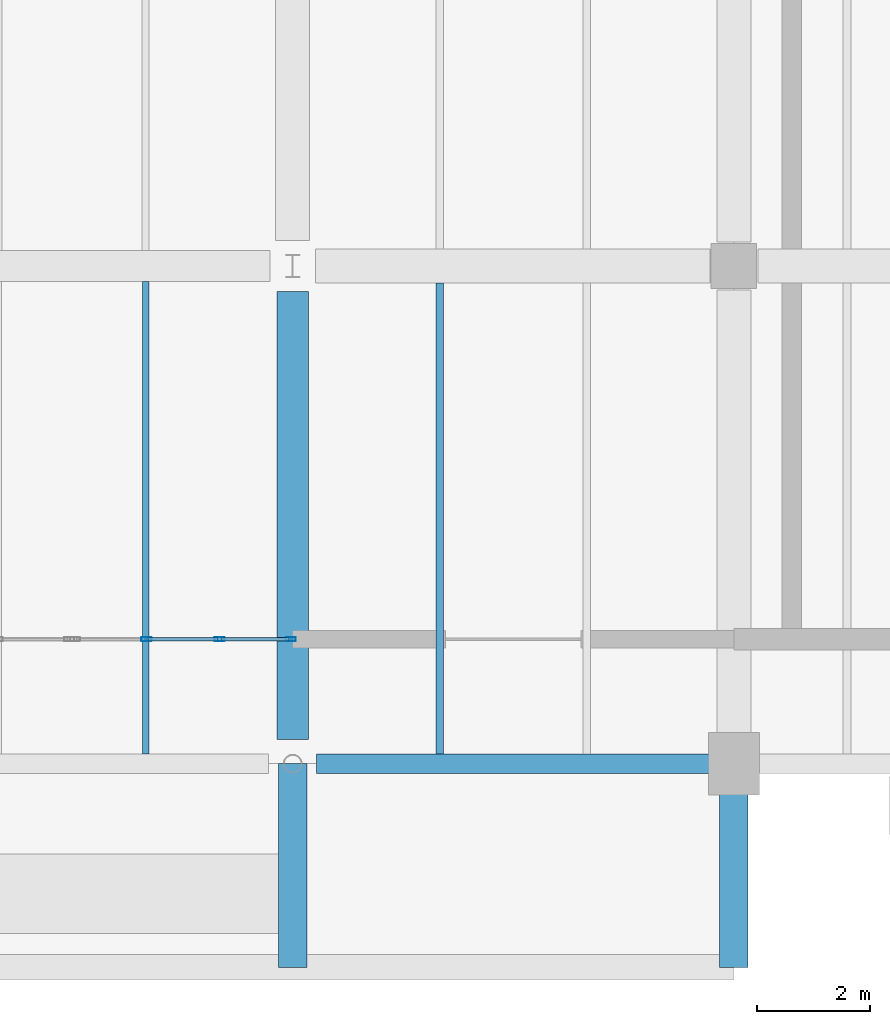
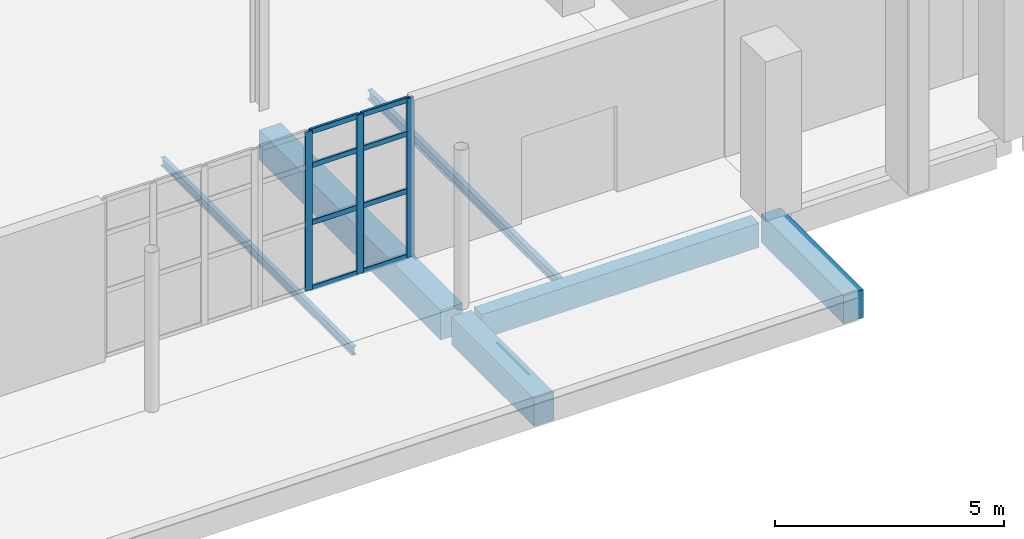
# One storey, part 24 of 76: 11 members, 6 beams, 1 element without a shape of its own.
"""IFC4 building model written with IfcOpenShell, lengths in metres."""

from ifc_helpers import new_model, si_unit, direction, frame, origin, origin_2d, place, context, subcontext, project, spatial, rectangle, hollow_rectangle, i_section, extrude, material, material_profile, profile_set, type_object, element, aggregate, save


model = new_model("IFC4")

# Units and contexts
model_context = context("Model", 3, precision=1e-05, world=origin(), true_north=direction((0.0, 1.0)))
body_context = subcontext(model_context, "Body", "Model", "MODEL_VIEW")
ifc_project = project(units=[si_unit("LENGTHUNIT", "METRE"), si_unit("AREAUNIT", "SQUARE_METRE"), si_unit("VOLUMEUNIT", "CUBIC_METRE"), si_unit("PLANEANGLEUNIT", "RADIAN"), si_unit("MASSUNIT", "GRAM", prefix="KILO")], contexts=[model_context])

# Site, building, storey
site_placement = place(None, origin())
site = spatial("IfcSite", under=ifc_project, at=site_placement, CompositionType="ELEMENT")
building_placement = place(site_placement, origin())
building = spatial("IfcBuilding", under=site, at=building_placement, Name="Varnakota Cinema and Media Centre", CompositionType="ELEMENT")
storey_placement = place(building_placement, origin())
storey = spatial("IfcBuildingStorey", under=building, at=storey_placement, Name="L00", CompositionType="ELEMENT", Elevation=0.0)

# Beams
ifc_material_1 = material(Name="Concrete M35", Category="concrete")
ifc_material_profile_1 = material_profile(ifc_material_1, rectangle(XDim=0.5, YDim=0.75, at=origin_2d()), Name="RCB 500x750")
ifc_profile_set_1 = profile_set([ifc_material_profile_1], Name="Concrete M35")
beam_type_1 = type_object("IfcBeamType", Name="BM-RC-500x750", PredefinedType="BEAM", material=ifc_profile_set_1)
for number, where, z_axis, x_axis, name in (
    (1, (67.199951171875, 0.0, -0.574951171875), (0.0, -1.0, 0.0), (1.0, 0.0, 0.0), "South forecourt grade beam 4"),
    (2, (75.0, 0.0, -0.574951171875), (0.0, -1.0, 0.0), (1.0, 0.0, 0.0), "South forecourt grade beam 5"),
):
    element("IfcBeam", number, at=place(storey_placement, frame(where, z_axis=z_axis, x_axis=x_axis)), inside=storey, type_object=beam_type_1, Name=name, PredefinedType="BEAM", context=body_context, shape_type="SweptSolid", body=[
        extrude(rectangle(XDim=0.5, YDim=0.75, at=origin_2d()), origin(), (0.0, 0.0, 1.0), 3.60009765625),
    ])
ifc_material_2 = material(Name="Concrete M35", Category="concrete")
ifc_material_profile_2 = material_profile(ifc_material_2, rectangle(XDim=0.550048828125, YDim=0.800048828125, at=origin_2d()), Name="RCB 550x800")
ifc_profile_set_2 = profile_set([ifc_material_profile_2], Name="Concrete M35")
beam_type_2 = type_object("IfcBeamType", Name="BM-RC-550x800", PredefinedType="BEAM", material=ifc_profile_set_2)
beam_1_placement = place(storey_placement, frame((67.199951171875, 0.425048828125, -0.679931640625), z_axis=(0.0, 1.0, 0.0), x_axis=(-1.0, 0.0, 0.0)))
element("IfcBeam", 3, at=beam_1_placement, inside=storey, type_object=beam_type_2, Name="L00 girder J/1-2", PredefinedType="BEAM", context=body_context, shape_type="SweptSolid", body=[
    extrude(rectangle(XDim=0.550048828125, YDim=0.800048828125, at=origin_2d()), origin(), (0.0, 0.0, 1.0), 7.925048828125),
])
ifc_material_3 = material(Name="Concrete M40", Category="concrete")
ifc_material_profile_3 = material_profile(ifc_material_3, rectangle(XDim=0.35009765625, YDim=0.64990234375, at=origin_2d()), Name="RCB 350x650")
ifc_profile_set_3 = profile_set([ifc_material_profile_3], Name="Concrete M40")
beam_type_3 = type_object("IfcBeamType", Name="BM-SP-350x650", PredefinedType="SPANDREL", material=ifc_profile_set_3)
beam_2_placement = place(storey_placement, frame((67.625, 0.0, -0.60498046875), z_axis=(1.0, 0.0, 0.0), x_axis=(0.0, 1.0, 0.0)))
element("IfcBeam", 4, at=beam_2_placement, inside=storey, type_object=beam_type_3, Name="L00 girder J-K/1", PredefinedType="SPANDREL", context=body_context, shape_type="SweptSolid", body=[
    extrude(rectangle(XDim=0.35009765625, YDim=0.64990234375, at=origin_2d()), origin(), (0.0, 0.0, 1.0), 6.97509765625),
])
ifc_material_4 = material(Name="Structural steel Grade 350 (E350)", Category="steel")
ifc_material_profile_4 = material_profile(ifc_material_4, i_section(OverallWidth=0.110107421875, OverallDepth=0.22509765625, WebThickness=0.006591796875, FlangeThickness=0.01171875, FilletRadius=0.011962890625, at=origin_2d()), Name="ISMB 225")
ifc_profile_set_4 = profile_set([ifc_material_profile_4], Name="Structural steel Grade 350 (E350)")
beam_type_4 = type_object("IfcBeamType", Name="BM-ST-ISMB225", PredefinedType="JOIST", material=ifc_profile_set_4)
beam_3_placement = place(storey_placement, frame((64.60009765625, 0.175048828125, -0.392578125), z_axis=(0.0, 1.0, 0.0), x_axis=(-1.0, 0.0, 0.0)))
element("IfcBeam", 5, at=beam_3_placement, inside=storey, type_object=beam_type_4, Name="L00 steel joist H-J/1-2 #2", PredefinedType="JOIST", context=body_context, shape_type="SweptSolid", body=[
    extrude(i_section(OverallWidth=0.110107421875, OverallDepth=0.22509765625, WebThickness=0.006591796875, FlangeThickness=0.01171875, FilletRadius=0.011962890625, at=origin_2d()), origin(), (0.0, 0.0, 1.0), 8.349853515625),
])
ifc_material_5 = material(Name="Structural steel Grade 350 (E350)", Category="steel")
ifc_material_profile_5 = material_profile(ifc_material_5, i_section(OverallWidth=0.125, OverallDepth=0.25, WebThickness=0.0068359375, FlangeThickness=0.012451171875, FilletRadius=0.012939453125, at=origin_2d()), Name="ISMB 250")
ifc_profile_set_5 = profile_set([ifc_material_profile_5], Name="Structural steel Grade 350 (E350)")
beam_type_5 = type_object("IfcBeamType", Name="BM-ST-ISMB250", PredefinedType="JOIST", material=ifc_profile_set_5)
beam_4_placement = place(storey_placement, frame((69.800048828125, 0.175048828125, -0.405029296875), z_axis=(0.0, 1.0, 0.0), x_axis=(-1.0, 0.0, 0.0)))
element("IfcBeam", 6, at=beam_4_placement, inside=storey, type_object=beam_type_5, Name="L00 steel joist J-K/1-2 #1", PredefinedType="JOIST", context=body_context, shape_type="SweptSolid", body=[
    extrude(i_section(OverallWidth=0.125, OverallDepth=0.25, WebThickness=0.0068359375, FlangeThickness=0.012451171875, FilletRadius=0.012939453125, at=origin_2d()), origin(), (0.0, 0.0, 1.0), 8.324951171875),
])

# Curtain wall, members
ifc_material_6 = material(Name="Thermally broken anodised aluminium AW-6063", Category="aluminium")
curtain_wall_type = type_object("IfcCurtainWallType", Name="CW-STD-388x424", PredefinedType="USERDEFINED", material=ifc_material_6)
curtain_wall_placement = place(storey_placement, origin())
curtain_wall = element("IfcCurtainWall", 7, at=curtain_wall_placement, inside=storey, type_object=curtain_wall_type, Name="L00 curtain wall CW-L00-V6-S-02-1", ObjectType="UNITISED CURTAIN WALL", PredefinedType="USERDEFINED")
ifc_material_7 = material(Name="Thermally broken anodised aluminium AW-6063", Category="aluminium")
ifc_material_profile_6 = material_profile(ifc_material_7, hollow_rectangle(XDim=0.06494140625, YDim=0.179931640625, WallThickness=0.00390625, InnerFilletRadius=0.00390625, OuterFilletRadius=0.008056640625, at=origin_2d()), Name="AL-MULLION 180x65x4")
ifc_profile_set_6 = profile_set([ifc_material_profile_6], Name="Thermally broken anodised aluminium AW-6063")
member_type_1 = type_object("IfcMemberType", Name="CWM-AL-180", PredefinedType="MULLION", material=ifc_profile_set_6)
member_1_placement = place(storey_placement, frame((67.16748046875, 2.199951171875, 0.0), z_axis=(0.0, 0.0, 1.0), x_axis=(0.0, -1.0, 0.0)))
member_1 = element("IfcMember", 8, at=member_1_placement, type_object=member_type_1, Name="CW05 mullion 1", PredefinedType="MULLION", context=body_context, shape_type="SweptSolid", body=[
    extrude(hollow_rectangle(XDim=0.06494140625, YDim=0.179931640625, WallThickness=0.00390625, InnerFilletRadius=0.00390625, OuterFilletRadius=0.008056640625, at=origin_2d()), origin(), (0.0, 0.0, 1.0), 4.235107421875),
])
member_2_placement = place(storey_placement, frame((65.90673828125, 2.199951171875, 0.0), z_axis=(0.0, 0.0, 1.0), x_axis=(0.0, -1.0, 0.0)))
member_2 = element("IfcMember", 9, at=member_2_placement, type_object=member_type_1, Name="CW05 mullion 2", PredefinedType="MULLION", context=body_context, shape_type="SweptSolid", body=[
    extrude(hollow_rectangle(XDim=0.06494140625, YDim=0.179931640625, WallThickness=0.00390625, InnerFilletRadius=0.00390625, OuterFilletRadius=0.008056640625, at=origin_2d()), origin(), (0.0, 0.0, 1.0), 4.235107421875),
])
member_3_placement = place(storey_placement, frame((64.61328125, 2.199951171875, 0.0), z_axis=(0.0, 0.0, 1.0), x_axis=(0.0, -1.0, 0.0)))
member_3 = element("IfcMember", 10, at=member_3_placement, type_object=member_type_1, Name="CW05 mullion 3", PredefinedType="MULLION", context=body_context, shape_type="SweptSolid", body=[
    extrude(hollow_rectangle(XDim=0.06494140625, YDim=0.179931640625, WallThickness=0.00390625, InnerFilletRadius=0.00390625, OuterFilletRadius=0.008056640625, at=origin_2d()), origin(), (0.0, 0.0, 1.0), 4.235107421875),
])
ifc_material_8 = material(Name="Thermally broken anodised aluminium AW-6063", Category="aluminium")
ifc_material_profile_7 = material_profile(ifc_material_8, hollow_rectangle(XDim=0.06494140625, YDim=0.139892578125, WallThickness=0.00390625, InnerFilletRadius=0.00390625, OuterFilletRadius=0.008056640625, at=origin_2d()), Name="AL-TRANSOM 140x65x4")
ifc_profile_set_7 = profile_set([ifc_material_profile_7], Name="Thermally broken anodised aluminium AW-6063")
member_type_2 = type_object("IfcMemberType", Name="CWT-AL-140", PredefinedType="USERDEFINED", material=ifc_profile_set_7)
member_4_placement = place(storey_placement, frame((67.135009765625, 2.199951171875, 0.032470703125), z_axis=(-1.0, 0.0, 0.0), x_axis=(0.0, -1.0, 0.0)))
member_4 = element("IfcMember", 11, at=member_4_placement, type_object=member_type_2, Name="CW05 transom 1.1", ObjectType="TRANSOM", PredefinedType="USERDEFINED", context=body_context, shape_type="SweptSolid", body=[
    extrude(hollow_rectangle(XDim=0.06494140625, YDim=0.139892578125, WallThickness=0.00390625, InnerFilletRadius=0.00390625, OuterFilletRadius=0.008056640625, at=origin_2d()), origin(), (0.0, 0.0, 1.0), 1.19580078125),
])
member_5_placement = place(storey_placement, frame((67.135009765625, 2.199951171875, 1.77880859375), z_axis=(-1.0, 0.0, 0.0), x_axis=(0.0, -1.0, 0.0)))
member_5 = element("IfcMember", 12, at=member_5_placement, type_object=member_type_2, Name="CW05 transom 1.2", ObjectType="TRANSOM", PredefinedType="USERDEFINED", context=body_context, shape_type="SweptSolid", body=[
    extrude(hollow_rectangle(XDim=0.06494140625, YDim=0.139892578125, WallThickness=0.00390625, InnerFilletRadius=0.00390625, OuterFilletRadius=0.008056640625, at=origin_2d()), origin(), (0.0, 0.0, 1.0), 1.19580078125),
])
member_6_placement = place(storey_placement, frame((67.135009765625, 2.199951171875, 3.30322265625), z_axis=(-1.0, 0.0, 0.0), x_axis=(0.0, -1.0, 0.0)))
member_6 = element("IfcMember", 13, at=member_6_placement, type_object=member_type_2, Name="CW05 transom 1.3", ObjectType="TRANSOM", PredefinedType="USERDEFINED", context=body_context, shape_type="SweptSolid", body=[
    extrude(hollow_rectangle(XDim=0.06494140625, YDim=0.139892578125, WallThickness=0.00390625, InnerFilletRadius=0.00390625, OuterFilletRadius=0.008056640625, at=origin_2d()), origin(), (0.0, 0.0, 1.0), 1.19580078125),
])
member_7_placement = place(storey_placement, frame((67.135009765625, 2.199951171875, 4.202392578125), z_axis=(-1.0, 0.0, 0.0), x_axis=(0.0, -1.0, 0.0)))
member_7 = element("IfcMember", 14, at=member_7_placement, type_object=member_type_2, Name="CW05 transom 1.4", ObjectType="TRANSOM", PredefinedType="USERDEFINED", context=body_context, shape_type="SweptSolid", body=[
    extrude(hollow_rectangle(XDim=0.06494140625, YDim=0.139892578125, WallThickness=0.00390625, InnerFilletRadius=0.00390625, OuterFilletRadius=0.008056640625, at=origin_2d()), origin(), (0.0, 0.0, 1.0), 1.19580078125),
])
member_8_placement = place(storey_placement, frame((65.874267578125, 2.199951171875, 0.032470703125), z_axis=(-1.0, 0.0, 0.0), x_axis=(0.0, -1.0, 0.0)))
member_8 = element("IfcMember", 15, at=member_8_placement, type_object=member_type_2, Name="CW05 transom 2.1", ObjectType="TRANSOM", PredefinedType="USERDEFINED", context=body_context, shape_type="SweptSolid", body=[
    extrude(hollow_rectangle(XDim=0.06494140625, YDim=0.139892578125, WallThickness=0.00390625, InnerFilletRadius=0.00390625, OuterFilletRadius=0.008056640625, at=origin_2d()), origin(), (0.0, 0.0, 1.0), 1.228515625),
])
member_9_placement = place(storey_placement, frame((65.874267578125, 2.199951171875, 1.77880859375), z_axis=(-1.0, 0.0, 0.0), x_axis=(0.0, -1.0, 0.0)))
member_9 = element("IfcMember", 16, at=member_9_placement, type_object=member_type_2, Name="CW05 transom 2.2", ObjectType="TRANSOM", PredefinedType="USERDEFINED", context=body_context, shape_type="SweptSolid", body=[
    extrude(hollow_rectangle(XDim=0.06494140625, YDim=0.139892578125, WallThickness=0.00390625, InnerFilletRadius=0.00390625, OuterFilletRadius=0.008056640625, at=origin_2d()), origin(), (0.0, 0.0, 1.0), 1.228515625),
])
member_10_placement = place(storey_placement, frame((65.874267578125, 2.199951171875, 3.30322265625), z_axis=(-1.0, 0.0, 0.0), x_axis=(0.0, -1.0, 0.0)))
member_10 = element("IfcMember", 17, at=member_10_placement, type_object=member_type_2, Name="CW05 transom 2.3", ObjectType="TRANSOM", PredefinedType="USERDEFINED", context=body_context, shape_type="SweptSolid", body=[
    extrude(hollow_rectangle(XDim=0.06494140625, YDim=0.139892578125, WallThickness=0.00390625, InnerFilletRadius=0.00390625, OuterFilletRadius=0.008056640625, at=origin_2d()), origin(), (0.0, 0.0, 1.0), 1.228515625),
])
member_11_placement = place(storey_placement, frame((65.874267578125, 2.199951171875, 4.202392578125), z_axis=(-1.0, 0.0, 0.0), x_axis=(0.0, -1.0, 0.0)))
member_11 = element("IfcMember", 18, at=member_11_placement, type_object=member_type_2, Name="CW05 transom 2.4", ObjectType="TRANSOM", PredefinedType="USERDEFINED", context=body_context, shape_type="SweptSolid", body=[
    extrude(hollow_rectangle(XDim=0.06494140625, YDim=0.139892578125, WallThickness=0.00390625, InnerFilletRadius=0.00390625, OuterFilletRadius=0.008056640625, at=origin_2d()), origin(), (0.0, 0.0, 1.0), 1.228515625),
])
aggregate(curtain_wall, [member_1, member_2, member_3, member_4, member_5, member_6, member_7, member_8, member_9, member_10, member_11])

save(model, "model.ifc")
